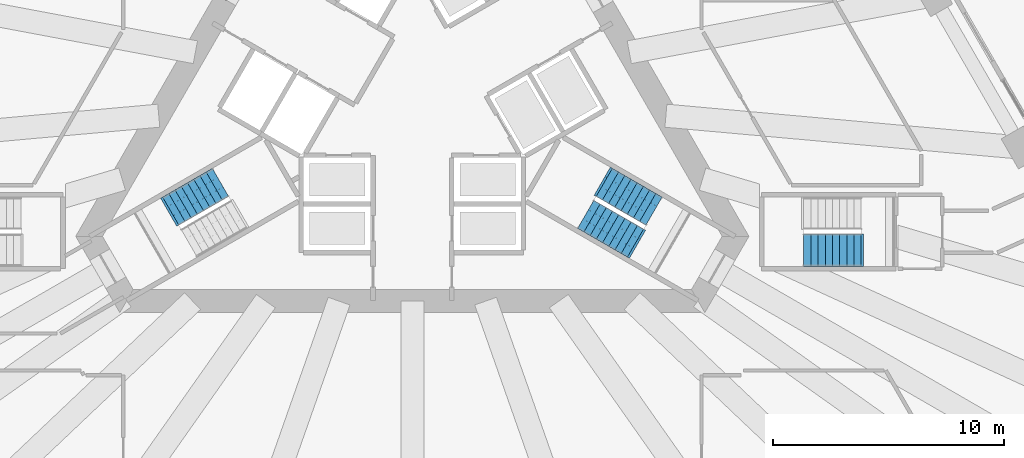
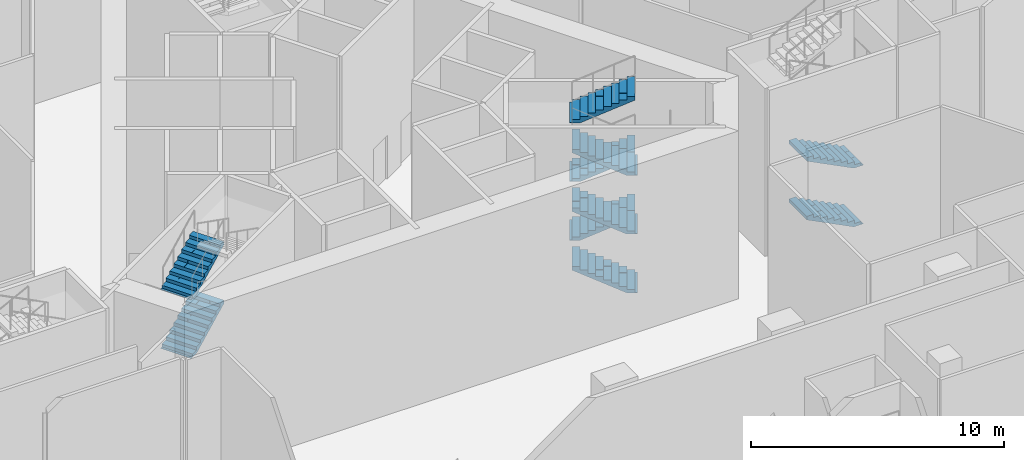
# One storey, part 32 of 41: 10 stair flights, 3 elements without a shape of their own.
"""IFC4 building model written with IfcOpenShell, lengths in metres."""

from ifc_helpers import new_model, si_unit, direction, frame, origin, place, context, subcontext, project, spatial, polyline, outline, extrude, material, type_object, element, aggregate, save


model = new_model("IFC4")

# Units and contexts
model_context = context("Model", 3, precision=1e-05, world=origin(), true_north=direction((0.0, 1.0)))
body_context = subcontext(model_context, "Body", "Model", "MODEL_VIEW")
ifc_project = project(units=[si_unit("LENGTHUNIT", "METRE"), si_unit("AREAUNIT", "SQUARE_METRE"), si_unit("VOLUMEUNIT", "CUBIC_METRE"), si_unit("PLANEANGLEUNIT", "RADIAN"), si_unit("MASSUNIT", "GRAM", prefix="KILO")], contexts=[model_context])

# Site, building, storey
site_placement = place(None, origin())
site = spatial("IfcSite", under=ifc_project, at=site_placement, CompositionType="ELEMENT")
building_placement = place(site_placement, origin())
building = spatial("IfcBuilding", under=site, at=building_placement, Name="Triada Interchange Tower", CompositionType="ELEMENT")
storey_placement = place(building_placement, origin())
storey = spatial("IfcBuildingStorey", under=building, at=storey_placement, Name="L00", CompositionType="ELEMENT", Elevation=0.0)

# Stair, stair flights
ifc_material = material(Name="Concrete C35/45", Category="concrete")
stair_type = type_object("IfcStairType", Name="HALF TURN STAIR 1400", PredefinedType="HALF_TURN_STAIR", material=ifc_material)
stair_1_placement = place(storey_placement, origin())
stair_1 = element("IfcStair", 1, at=stair_1_placement, inside=storey, type_object=stair_type, Name="Exit stair S00-2", PredefinedType="HALF_TURN_STAIR")
stair_flight_type = type_object("IfcStairFlightType", Name="STRAIGHT STAIR FLIGHT 1400", PredefinedType="STRAIGHT", material=ifc_material)
stair_flight_1_placement = place(storey_placement, frame((-10.446044921875, -5.10693359375, 2.83349609375), z_axis=(0.0, 0.0, 1.0), x_axis=(0.866025403784, 0.5, 0.0)))
stair_flight_1 = element("IfcStairFlight", 2, at=stair_flight_1_placement, type_object=stair_flight_type, Name="S00-2 flight 3", NumberOfRisers=9, NumberOfTreads=8, PredefinedType="STRAIGHT", RiserHeight=0.15741, TreadLength=0.31, context=body_context, shape_type="SweptSolid", body=[
    extrude(outline(polyline([(-0.10009765625, 0.0), (-0.10009765625, 0.02001953125), (0.0, 0.02001953125), (0.0, 0.157470703125), (0.31005859375, 0.157470703125), (0.31005859375, 0.31494140625), (0.6201171875, 0.31494140625), (0.6201171875, 0.47216796875), (0.929931640625, 0.47216796875), (0.929931640625, 0.629638671875), (1.239990234375, 0.629638671875), (1.239990234375, 0.787109375), (1.550048828125, 0.787109375), (1.550048828125, 0.944580078125), (1.860107421875, 0.944580078125), (1.860107421875, 1.101806640625), (2.169921875, 1.101806640625), (2.169921875, 1.25927734375), (2.47998046875, 1.25927734375), (2.48388671875, 1.25927734375), (2.48388671875, 1.416748046875), (2.48388671875, 1.091064453125), (0.3310546875, 0.0), (-0.10009765625, 0.0)])), frame((0.0, 0.699951171875, 0.0), z_axis=(0.0, -1.0, 0.0), x_axis=(1.0, 0.0, 0.0)), (0.0, 0.0, 1.0), 0.46533203125),
    extrude(outline(polyline([(-0.10009765625, 0.0), (-0.10009765625, 0.02001953125), (0.0, 0.02001953125), (0.0, 0.157470703125), (0.31005859375, 0.157470703125), (0.31005859375, 0.31494140625), (0.6201171875, 0.31494140625), (0.6201171875, 0.47216796875), (0.929931640625, 0.47216796875), (0.929931640625, 0.629638671875), (1.239990234375, 0.629638671875), (1.239990234375, 0.787109375), (1.550048828125, 0.787109375), (1.550048828125, 0.944580078125), (1.860107421875, 0.944580078125), (1.860107421875, 1.101806640625), (2.169921875, 1.101806640625), (2.169921875, 1.25927734375), (2.47998046875, 1.25927734375), (2.48388671875, 1.25927734375), (2.48388671875, 1.416748046875), (2.48388671875, 1.091064453125), (0.3310546875, 0.0), (-0.10009765625, 0.0)])), frame((0.0, 0.232666015625, 0.0), z_axis=(0.0, -1.0, 0.0), x_axis=(1.0, 0.0, 0.0)), (0.0, 0.0, 1.0), 0.46533203125),
    extrude(outline(polyline([(-0.10009765625, 0.0), (-0.10009765625, 0.02001953125), (0.0, 0.02001953125), (0.0, 0.157470703125), (0.31005859375, 0.157470703125), (0.31005859375, 0.31494140625), (0.6201171875, 0.31494140625), (0.6201171875, 0.47216796875), (0.929931640625, 0.47216796875), (0.929931640625, 0.629638671875), (1.239990234375, 0.629638671875), (1.239990234375, 0.787109375), (1.550048828125, 0.787109375), (1.550048828125, 0.944580078125), (1.860107421875, 0.944580078125), (1.860107421875, 1.101806640625), (2.169921875, 1.101806640625), (2.169921875, 1.25927734375), (2.47998046875, 1.25927734375), (2.48388671875, 1.25927734375), (2.48388671875, 1.416748046875), (2.48388671875, 1.091064453125), (0.3310546875, 0.0), (-0.10009765625, 0.0)])), frame((0.0, -0.234619140625, 0.0), z_axis=(0.0, -1.0, 0.0), x_axis=(1.0, 0.0, 0.0)), (0.0, 0.0, 1.0), 0.46533203125),
])
stair_flight_2_placement = place(storey_placement, frame((-10.446044921875, -5.10693359375, 5.666748046875), z_axis=(0.0, 0.0, 1.0), x_axis=(0.866025403784, 0.5, 0.0)))
stair_flight_2 = element("IfcStairFlight", 3, at=stair_flight_2_placement, type_object=stair_flight_type, Name="S00-2 flight 5", NumberOfRisers=9, NumberOfTreads=8, PredefinedType="STRAIGHT", RiserHeight=0.15741, TreadLength=0.31, context=body_context, shape_type="SweptSolid", body=[
    extrude(outline(polyline([(-0.10009765625, 0.0), (-0.10009765625, 0.02001953125), (0.0, 0.02001953125), (0.0, 0.157470703125), (0.31005859375, 0.157470703125), (0.31005859375, 0.31494140625), (0.6201171875, 0.31494140625), (0.6201171875, 0.47216796875), (0.929931640625, 0.47216796875), (0.929931640625, 0.629638671875), (1.239990234375, 0.629638671875), (1.239990234375, 0.787109375), (1.550048828125, 0.787109375), (1.550048828125, 0.944580078125), (1.860107421875, 0.944580078125), (1.860107421875, 1.101806640625), (2.169921875, 1.101806640625), (2.169921875, 1.25927734375), (2.47998046875, 1.25927734375), (2.48388671875, 1.25927734375), (2.48388671875, 1.416748046875), (2.48388671875, 1.091064453125), (0.3310546875, 0.0), (-0.10009765625, 0.0)])), frame((0.0, 0.699951171875, 0.0), z_axis=(0.0, -1.0, 0.0), x_axis=(1.0, 0.0, 0.0)), (0.0, 0.0, 1.0), 0.46533203125),
    extrude(outline(polyline([(-0.10009765625, 0.0), (-0.10009765625, 0.02001953125), (0.0, 0.02001953125), (0.0, 0.157470703125), (0.31005859375, 0.157470703125), (0.31005859375, 0.31494140625), (0.6201171875, 0.31494140625), (0.6201171875, 0.47216796875), (0.929931640625, 0.47216796875), (0.929931640625, 0.629638671875), (1.239990234375, 0.629638671875), (1.239990234375, 0.787109375), (1.550048828125, 0.787109375), (1.550048828125, 0.944580078125), (1.860107421875, 0.944580078125), (1.860107421875, 1.101806640625), (2.169921875, 1.101806640625), (2.169921875, 1.25927734375), (2.47998046875, 1.25927734375), (2.48388671875, 1.25927734375), (2.48388671875, 1.416748046875), (2.48388671875, 1.091064453125), (0.3310546875, 0.0), (-0.10009765625, 0.0)])), frame((0.0, 0.232666015625, 0.0), z_axis=(0.0, -1.0, 0.0), x_axis=(1.0, 0.0, 0.0)), (0.0, 0.0, 1.0), 0.46533203125),
    extrude(outline(polyline([(-0.10009765625, 0.0), (-0.10009765625, 0.02001953125), (0.0, 0.02001953125), (0.0, 0.157470703125), (0.31005859375, 0.157470703125), (0.31005859375, 0.31494140625), (0.6201171875, 0.31494140625), (0.6201171875, 0.47216796875), (0.929931640625, 0.47216796875), (0.929931640625, 0.629638671875), (1.239990234375, 0.629638671875), (1.239990234375, 0.787109375), (1.550048828125, 0.787109375), (1.550048828125, 0.944580078125), (1.860107421875, 0.944580078125), (1.860107421875, 1.101806640625), (2.169921875, 1.101806640625), (2.169921875, 1.25927734375), (2.47998046875, 1.25927734375), (2.48388671875, 1.25927734375), (2.48388671875, 1.416748046875), (2.48388671875, 1.091064453125), (0.3310546875, 0.0), (-0.10009765625, 0.0)])), frame((0.0, -0.234619140625, 0.0), z_axis=(0.0, -1.0, 0.0), x_axis=(1.0, 0.0, 0.0)), (0.0, 0.0, 1.0), 0.46533203125),
])
aggregate(stair_1, [stair_flight_1, stair_flight_2])

stair_2_placement = place(storey_placement, origin())
stair_2 = element("IfcStair", 4, at=stair_2_placement, inside=storey, type_object=stair_type, Name="Exit stair S00-3", PredefinedType="HALF_TURN_STAIR")
stair_flight_3_placement = place(storey_placement, frame((9.64599609375, -6.492919921875, 0.0), z_axis=(0.0, 0.0, 1.0), x_axis=(-0.866025403784, 0.5, 0.0)))
stair_flight_3 = element("IfcStairFlight", 5, at=stair_flight_3_placement, type_object=stair_flight_type, Name="S00-3 flight 1", NumberOfRisers=9, NumberOfTreads=8, PredefinedType="STRAIGHT", RiserHeight=0.15741, TreadLength=0.31, context=body_context, shape_type="SweptSolid", body=[
    extrude(outline(polyline([(-0.10009765625, 0.0), (-0.10009765625, 0.02001953125), (0.0, 0.02001953125), (0.0, 0.157470703125), (0.31005859375, 0.157470703125), (0.31005859375, 0.31494140625), (0.6201171875, 0.31494140625), (0.6201171875, 0.47216796875), (0.929931640625, 0.47216796875), (0.929931640625, 0.629638671875), (1.239990234375, 0.629638671875), (1.239990234375, 0.787109375), (1.550048828125, 0.787109375), (1.550048828125, 0.944580078125), (1.860107421875, 0.944580078125), (1.860107421875, 1.101806640625), (2.169921875, 1.101806640625), (2.169921875, 1.25927734375), (2.47998046875, 1.25927734375), (2.48388671875, 1.25927734375), (2.48388671875, 1.416748046875), (2.48388671875, 1.091064453125), (0.3310546875, 0.0), (-0.10009765625, 0.0)])), frame((0.0, 0.699951171875, 0.0), z_axis=(0.0, -1.0, 0.0), x_axis=(1.0, 0.0, 0.0)), (0.0, 0.0, 1.0), 0.46533203125),
    extrude(outline(polyline([(-0.10009765625, 0.0), (-0.10009765625, 0.02001953125), (0.0, 0.02001953125), (0.0, 0.157470703125), (0.31005859375, 0.157470703125), (0.31005859375, 0.31494140625), (0.6201171875, 0.31494140625), (0.6201171875, 0.47216796875), (0.929931640625, 0.47216796875), (0.929931640625, 0.629638671875), (1.239990234375, 0.629638671875), (1.239990234375, 0.787109375), (1.550048828125, 0.787109375), (1.550048828125, 0.944580078125), (1.860107421875, 0.944580078125), (1.860107421875, 1.101806640625), (2.169921875, 1.101806640625), (2.169921875, 1.25927734375), (2.47998046875, 1.25927734375), (2.48388671875, 1.25927734375), (2.48388671875, 1.416748046875), (2.48388671875, 1.091064453125), (0.3310546875, 0.0), (-0.10009765625, 0.0)])), frame((0.0, 0.232666015625, 0.0), z_axis=(0.0, -1.0, 0.0), x_axis=(1.0, 0.0, 0.0)), (0.0, 0.0, 1.0), 0.46533203125),
    extrude(outline(polyline([(-0.10009765625, 0.0), (-0.10009765625, 0.02001953125), (0.0, 0.02001953125), (0.0, 0.157470703125), (0.31005859375, 0.157470703125), (0.31005859375, 0.31494140625), (0.6201171875, 0.31494140625), (0.6201171875, 0.47216796875), (0.929931640625, 0.47216796875), (0.929931640625, 0.629638671875), (1.239990234375, 0.629638671875), (1.239990234375, 0.787109375), (1.550048828125, 0.787109375), (1.550048828125, 0.944580078125), (1.860107421875, 0.944580078125), (1.860107421875, 1.101806640625), (2.169921875, 1.101806640625), (2.169921875, 1.25927734375), (2.47998046875, 1.25927734375), (2.48388671875, 1.25927734375), (2.48388671875, 1.416748046875), (2.48388671875, 1.091064453125), (0.3310546875, 0.0), (-0.10009765625, 0.0)])), frame((0.0, -0.234619140625, 0.0), z_axis=(0.0, -1.0, 0.0), x_axis=(1.0, 0.0, 0.0)), (0.0, 0.0, 1.0), 0.46533203125),
])
stair_flight_4_placement = place(storey_placement, frame((8.298095703125, -3.866943359375, 1.416748046875), z_axis=(0.0, 0.0, 1.0), x_axis=(0.866025403784, -0.5, 0.0)))
stair_flight_4 = element("IfcStairFlight", 6, at=stair_flight_4_placement, type_object=stair_flight_type, Name="S00-3 flight 2", NumberOfRisers=9, NumberOfTreads=8, PredefinedType="STRAIGHT", RiserHeight=0.15741, TreadLength=0.31, context=body_context, shape_type="SweptSolid", body=[
    extrude(outline(polyline([(-0.10009765625, 0.0), (-0.10009765625, 0.02001953125), (0.0, 0.02001953125), (0.0, 0.157470703125), (0.31005859375, 0.157470703125), (0.31005859375, 0.31494140625), (0.6201171875, 0.31494140625), (0.6201171875, 0.47216796875), (0.929931640625, 0.47216796875), (0.929931640625, 0.629638671875), (1.239990234375, 0.629638671875), (1.239990234375, 0.787109375), (1.550048828125, 0.787109375), (1.550048828125, 0.944580078125), (1.860107421875, 0.944580078125), (1.860107421875, 1.101806640625), (2.169921875, 1.101806640625), (2.169921875, 1.25927734375), (2.47998046875, 1.25927734375), (2.48388671875, 1.25927734375), (2.48388671875, 1.416748046875), (2.48388671875, 1.091064453125), (0.3310546875, 0.0), (-0.10009765625, 0.0)])), frame((0.0, 0.699951171875, 0.0), z_axis=(0.0, -1.0, 0.0), x_axis=(1.0, 0.0, 0.0)), (0.0, 0.0, 1.0), 0.46533203125),
    extrude(outline(polyline([(-0.10009765625, 0.0), (-0.10009765625, 0.02001953125), (0.0, 0.02001953125), (0.0, 0.157470703125), (0.31005859375, 0.157470703125), (0.31005859375, 0.31494140625), (0.6201171875, 0.31494140625), (0.6201171875, 0.47216796875), (0.929931640625, 0.47216796875), (0.929931640625, 0.629638671875), (1.239990234375, 0.629638671875), (1.239990234375, 0.787109375), (1.550048828125, 0.787109375), (1.550048828125, 0.944580078125), (1.860107421875, 0.944580078125), (1.860107421875, 1.101806640625), (2.169921875, 1.101806640625), (2.169921875, 1.25927734375), (2.47998046875, 1.25927734375), (2.48388671875, 1.25927734375), (2.48388671875, 1.416748046875), (2.48388671875, 1.091064453125), (0.3310546875, 0.0), (-0.10009765625, 0.0)])), frame((0.0, 0.232666015625, 0.0), z_axis=(0.0, -1.0, 0.0), x_axis=(1.0, 0.0, 0.0)), (0.0, 0.0, 1.0), 0.46533203125),
    extrude(outline(polyline([(-0.10009765625, 0.0), (-0.10009765625, 0.02001953125), (0.0, 0.02001953125), (0.0, 0.157470703125), (0.31005859375, 0.157470703125), (0.31005859375, 0.31494140625), (0.6201171875, 0.31494140625), (0.6201171875, 0.47216796875), (0.929931640625, 0.47216796875), (0.929931640625, 0.629638671875), (1.239990234375, 0.629638671875), (1.239990234375, 0.787109375), (1.550048828125, 0.787109375), (1.550048828125, 0.944580078125), (1.860107421875, 0.944580078125), (1.860107421875, 1.101806640625), (2.169921875, 1.101806640625), (2.169921875, 1.25927734375), (2.47998046875, 1.25927734375), (2.48388671875, 1.25927734375), (2.48388671875, 1.416748046875), (2.48388671875, 1.091064453125), (0.3310546875, 0.0), (-0.10009765625, 0.0)])), frame((0.0, -0.234619140625, 0.0), z_axis=(0.0, -1.0, 0.0), x_axis=(1.0, 0.0, 0.0)), (0.0, 0.0, 1.0), 0.46533203125),
])
stair_flight_5_placement = place(storey_placement, frame((9.64599609375, -6.492919921875, 2.83349609375), z_axis=(0.0, 0.0, 1.0), x_axis=(-0.866025403784, 0.5, 0.0)))
stair_flight_5 = element("IfcStairFlight", 7, at=stair_flight_5_placement, type_object=stair_flight_type, Name="S00-3 flight 3", NumberOfRisers=9, NumberOfTreads=8, PredefinedType="STRAIGHT", RiserHeight=0.15741, TreadLength=0.31, context=body_context, shape_type="SweptSolid", body=[
    extrude(outline(polyline([(-0.10009765625, 0.0), (-0.10009765625, 0.02001953125), (0.0, 0.02001953125), (0.0, 0.157470703125), (0.31005859375, 0.157470703125), (0.31005859375, 0.31494140625), (0.6201171875, 0.31494140625), (0.6201171875, 0.47216796875), (0.929931640625, 0.47216796875), (0.929931640625, 0.629638671875), (1.239990234375, 0.629638671875), (1.239990234375, 0.787109375), (1.550048828125, 0.787109375), (1.550048828125, 0.944580078125), (1.860107421875, 0.944580078125), (1.860107421875, 1.101806640625), (2.169921875, 1.101806640625), (2.169921875, 1.25927734375), (2.47998046875, 1.25927734375), (2.48388671875, 1.25927734375), (2.48388671875, 1.416748046875), (2.48388671875, 1.091064453125), (0.3310546875, 0.0), (-0.10009765625, 0.0)])), frame((0.0, 0.699951171875, 0.0), z_axis=(0.0, -1.0, 0.0), x_axis=(1.0, 0.0, 0.0)), (0.0, 0.0, 1.0), 0.46533203125),
    extrude(outline(polyline([(-0.10009765625, 0.0), (-0.10009765625, 0.02001953125), (0.0, 0.02001953125), (0.0, 0.157470703125), (0.31005859375, 0.157470703125), (0.31005859375, 0.31494140625), (0.6201171875, 0.31494140625), (0.6201171875, 0.47216796875), (0.929931640625, 0.47216796875), (0.929931640625, 0.629638671875), (1.239990234375, 0.629638671875), (1.239990234375, 0.787109375), (1.550048828125, 0.787109375), (1.550048828125, 0.944580078125), (1.860107421875, 0.944580078125), (1.860107421875, 1.101806640625), (2.169921875, 1.101806640625), (2.169921875, 1.25927734375), (2.47998046875, 1.25927734375), (2.48388671875, 1.25927734375), (2.48388671875, 1.416748046875), (2.48388671875, 1.091064453125), (0.3310546875, 0.0), (-0.10009765625, 0.0)])), frame((0.0, 0.232666015625, 0.0), z_axis=(0.0, -1.0, 0.0), x_axis=(1.0, 0.0, 0.0)), (0.0, 0.0, 1.0), 0.46533203125),
    extrude(outline(polyline([(-0.10009765625, 0.0), (-0.10009765625, 0.02001953125), (0.0, 0.02001953125), (0.0, 0.157470703125), (0.31005859375, 0.157470703125), (0.31005859375, 0.31494140625), (0.6201171875, 0.31494140625), (0.6201171875, 0.47216796875), (0.929931640625, 0.47216796875), (0.929931640625, 0.629638671875), (1.239990234375, 0.629638671875), (1.239990234375, 0.787109375), (1.550048828125, 0.787109375), (1.550048828125, 0.944580078125), (1.860107421875, 0.944580078125), (1.860107421875, 1.101806640625), (2.169921875, 1.101806640625), (2.169921875, 1.25927734375), (2.47998046875, 1.25927734375), (2.48388671875, 1.25927734375), (2.48388671875, 1.416748046875), (2.48388671875, 1.091064453125), (0.3310546875, 0.0), (-0.10009765625, 0.0)])), frame((0.0, -0.234619140625, 0.0), z_axis=(0.0, -1.0, 0.0), x_axis=(1.0, 0.0, 0.0)), (0.0, 0.0, 1.0), 0.46533203125),
])
stair_flight_6_placement = place(storey_placement, frame((8.298095703125, -3.866943359375, 4.25), z_axis=(0.0, 0.0, 1.0), x_axis=(0.866025403784, -0.5, 0.0)))
stair_flight_6 = element("IfcStairFlight", 8, at=stair_flight_6_placement, type_object=stair_flight_type, Name="S00-3 flight 4", NumberOfRisers=9, NumberOfTreads=8, PredefinedType="STRAIGHT", RiserHeight=0.15741, TreadLength=0.31, context=body_context, shape_type="SweptSolid", body=[
    extrude(outline(polyline([(-0.10009765625, 0.0), (-0.10009765625, 0.02001953125), (0.0, 0.02001953125), (0.0, 0.157470703125), (0.31005859375, 0.157470703125), (0.31005859375, 0.31494140625), (0.6201171875, 0.31494140625), (0.6201171875, 0.47216796875), (0.929931640625, 0.47216796875), (0.929931640625, 0.629638671875), (1.239990234375, 0.629638671875), (1.239990234375, 0.787109375), (1.550048828125, 0.787109375), (1.550048828125, 0.944580078125), (1.860107421875, 0.944580078125), (1.860107421875, 1.101806640625), (2.169921875, 1.101806640625), (2.169921875, 1.25927734375), (2.47998046875, 1.25927734375), (2.48388671875, 1.25927734375), (2.48388671875, 1.416748046875), (2.48388671875, 1.091064453125), (0.3310546875, 0.0), (-0.10009765625, 0.0)])), frame((0.0, 0.699951171875, 0.0), z_axis=(0.0, -1.0, 0.0), x_axis=(1.0, 0.0, 0.0)), (0.0, 0.0, 1.0), 0.46533203125),
    extrude(outline(polyline([(-0.10009765625, 0.0), (-0.10009765625, 0.02001953125), (0.0, 0.02001953125), (0.0, 0.157470703125), (0.31005859375, 0.157470703125), (0.31005859375, 0.31494140625), (0.6201171875, 0.31494140625), (0.6201171875, 0.47216796875), (0.929931640625, 0.47216796875), (0.929931640625, 0.629638671875), (1.239990234375, 0.629638671875), (1.239990234375, 0.787109375), (1.550048828125, 0.787109375), (1.550048828125, 0.944580078125), (1.860107421875, 0.944580078125), (1.860107421875, 1.101806640625), (2.169921875, 1.101806640625), (2.169921875, 1.25927734375), (2.47998046875, 1.25927734375), (2.48388671875, 1.25927734375), (2.48388671875, 1.416748046875), (2.48388671875, 1.091064453125), (0.3310546875, 0.0), (-0.10009765625, 0.0)])), frame((0.0, 0.232666015625, 0.0), z_axis=(0.0, -1.0, 0.0), x_axis=(1.0, 0.0, 0.0)), (0.0, 0.0, 1.0), 0.46533203125),
    extrude(outline(polyline([(-0.10009765625, 0.0), (-0.10009765625, 0.02001953125), (0.0, 0.02001953125), (0.0, 0.157470703125), (0.31005859375, 0.157470703125), (0.31005859375, 0.31494140625), (0.6201171875, 0.31494140625), (0.6201171875, 0.47216796875), (0.929931640625, 0.47216796875), (0.929931640625, 0.629638671875), (1.239990234375, 0.629638671875), (1.239990234375, 0.787109375), (1.550048828125, 0.787109375), (1.550048828125, 0.944580078125), (1.860107421875, 0.944580078125), (1.860107421875, 1.101806640625), (2.169921875, 1.101806640625), (2.169921875, 1.25927734375), (2.47998046875, 1.25927734375), (2.48388671875, 1.25927734375), (2.48388671875, 1.416748046875), (2.48388671875, 1.091064453125), (0.3310546875, 0.0), (-0.10009765625, 0.0)])), frame((0.0, -0.234619140625, 0.0), z_axis=(0.0, -1.0, 0.0), x_axis=(1.0, 0.0, 0.0)), (0.0, 0.0, 1.0), 0.46533203125),
])
stair_flight_7_placement = place(storey_placement, frame((9.64599609375, -6.492919921875, 5.666748046875), z_axis=(0.0, 0.0, 1.0), x_axis=(-0.866025403784, 0.5, 0.0)))
stair_flight_7 = element("IfcStairFlight", 9, at=stair_flight_7_placement, type_object=stair_flight_type, Name="S00-3 flight 5", NumberOfRisers=9, NumberOfTreads=8, PredefinedType="STRAIGHT", RiserHeight=0.15741, TreadLength=0.31, context=body_context, shape_type="SweptSolid", body=[
    extrude(outline(polyline([(-0.10009765625, 0.0), (-0.10009765625, 0.02001953125), (0.0, 0.02001953125), (0.0, 0.157470703125), (0.31005859375, 0.157470703125), (0.31005859375, 0.31494140625), (0.6201171875, 0.31494140625), (0.6201171875, 0.47216796875), (0.929931640625, 0.47216796875), (0.929931640625, 0.629638671875), (1.239990234375, 0.629638671875), (1.239990234375, 0.787109375), (1.550048828125, 0.787109375), (1.550048828125, 0.944580078125), (1.860107421875, 0.944580078125), (1.860107421875, 1.101806640625), (2.169921875, 1.101806640625), (2.169921875, 1.25927734375), (2.47998046875, 1.25927734375), (2.48388671875, 1.25927734375), (2.48388671875, 1.416748046875), (2.48388671875, 1.091064453125), (0.3310546875, 0.0), (-0.10009765625, 0.0)])), frame((0.0, 0.699951171875, 0.0), z_axis=(0.0, -1.0, 0.0), x_axis=(1.0, 0.0, 0.0)), (0.0, 0.0, 1.0), 0.46533203125),
    extrude(outline(polyline([(-0.10009765625, 0.0), (-0.10009765625, 0.02001953125), (0.0, 0.02001953125), (0.0, 0.157470703125), (0.31005859375, 0.157470703125), (0.31005859375, 0.31494140625), (0.6201171875, 0.31494140625), (0.6201171875, 0.47216796875), (0.929931640625, 0.47216796875), (0.929931640625, 0.629638671875), (1.239990234375, 0.629638671875), (1.239990234375, 0.787109375), (1.550048828125, 0.787109375), (1.550048828125, 0.944580078125), (1.860107421875, 0.944580078125), (1.860107421875, 1.101806640625), (2.169921875, 1.101806640625), (2.169921875, 1.25927734375), (2.47998046875, 1.25927734375), (2.48388671875, 1.25927734375), (2.48388671875, 1.416748046875), (2.48388671875, 1.091064453125), (0.3310546875, 0.0), (-0.10009765625, 0.0)])), frame((0.0, 0.232666015625, 0.0), z_axis=(0.0, -1.0, 0.0), x_axis=(1.0, 0.0, 0.0)), (0.0, 0.0, 1.0), 0.46533203125),
    extrude(outline(polyline([(-0.10009765625, 0.0), (-0.10009765625, 0.02001953125), (0.0, 0.02001953125), (0.0, 0.157470703125), (0.31005859375, 0.157470703125), (0.31005859375, 0.31494140625), (0.6201171875, 0.31494140625), (0.6201171875, 0.47216796875), (0.929931640625, 0.47216796875), (0.929931640625, 0.629638671875), (1.239990234375, 0.629638671875), (1.239990234375, 0.787109375), (1.550048828125, 0.787109375), (1.550048828125, 0.944580078125), (1.860107421875, 0.944580078125), (1.860107421875, 1.101806640625), (2.169921875, 1.101806640625), (2.169921875, 1.25927734375), (2.47998046875, 1.25927734375), (2.48388671875, 1.25927734375), (2.48388671875, 1.416748046875), (2.48388671875, 1.091064453125), (0.3310546875, 0.0), (-0.10009765625, 0.0)])), frame((0.0, -0.234619140625, 0.0), z_axis=(0.0, -1.0, 0.0), x_axis=(1.0, 0.0, 0.0)), (0.0, 0.0, 1.0), 0.46533203125),
])
stair_flight_8_placement = place(storey_placement, frame((8.298095703125, -3.866943359375, 7.08349609375), z_axis=(0.0, 0.0, 1.0), x_axis=(0.866025403784, -0.5, 0.0)))
stair_flight_8 = element("IfcStairFlight", 10, at=stair_flight_8_placement, type_object=stair_flight_type, Name="S00-3 flight 6", NumberOfRisers=9, NumberOfTreads=8, PredefinedType="STRAIGHT", RiserHeight=0.15741, TreadLength=0.31, context=body_context, shape_type="SweptSolid", body=[
    extrude(outline(polyline([(-0.10009765625, 0.0), (-0.10009765625, 0.02001953125), (0.0, 0.02001953125), (0.0, 0.157470703125), (0.31005859375, 0.157470703125), (0.31005859375, 0.31494140625), (0.6201171875, 0.31494140625), (0.6201171875, 0.47216796875), (0.929931640625, 0.47216796875), (0.929931640625, 0.629638671875), (1.239990234375, 0.629638671875), (1.239990234375, 0.787109375), (1.550048828125, 0.787109375), (1.550048828125, 0.944580078125), (1.860107421875, 0.944580078125), (1.860107421875, 1.101806640625), (2.169921875, 1.101806640625), (2.169921875, 1.25927734375), (2.47998046875, 1.25927734375), (2.48388671875, 1.25927734375), (2.48388671875, 1.416748046875), (2.48388671875, 1.091064453125), (0.3310546875, 0.0), (-0.10009765625, 0.0)])), frame((0.0, 0.699951171875, 0.0), z_axis=(0.0, -1.0, 0.0), x_axis=(1.0, 0.0, 0.0)), (0.0, 0.0, 1.0), 0.46533203125),
    extrude(outline(polyline([(-0.10009765625, 0.0), (-0.10009765625, 0.02001953125), (0.0, 0.02001953125), (0.0, 0.157470703125), (0.31005859375, 0.157470703125), (0.31005859375, 0.31494140625), (0.6201171875, 0.31494140625), (0.6201171875, 0.47216796875), (0.929931640625, 0.47216796875), (0.929931640625, 0.629638671875), (1.239990234375, 0.629638671875), (1.239990234375, 0.787109375), (1.550048828125, 0.787109375), (1.550048828125, 0.944580078125), (1.860107421875, 0.944580078125), (1.860107421875, 1.101806640625), (2.169921875, 1.101806640625), (2.169921875, 1.25927734375), (2.47998046875, 1.25927734375), (2.48388671875, 1.25927734375), (2.48388671875, 1.416748046875), (2.48388671875, 1.091064453125), (0.3310546875, 0.0), (-0.10009765625, 0.0)])), frame((0.0, 0.232666015625, 0.0), z_axis=(0.0, -1.0, 0.0), x_axis=(1.0, 0.0, 0.0)), (0.0, 0.0, 1.0), 0.46533203125),
    extrude(outline(polyline([(-0.10009765625, 0.0), (-0.10009765625, 0.02001953125), (0.0, 0.02001953125), (0.0, 0.157470703125), (0.31005859375, 0.157470703125), (0.31005859375, 0.31494140625), (0.6201171875, 0.31494140625), (0.6201171875, 0.47216796875), (0.929931640625, 0.47216796875), (0.929931640625, 0.629638671875), (1.239990234375, 0.629638671875), (1.239990234375, 0.787109375), (1.550048828125, 0.787109375), (1.550048828125, 0.944580078125), (1.860107421875, 0.944580078125), (1.860107421875, 1.101806640625), (2.169921875, 1.101806640625), (2.169921875, 1.25927734375), (2.47998046875, 1.25927734375), (2.48388671875, 1.25927734375), (2.48388671875, 1.416748046875), (2.48388671875, 1.091064453125), (0.3310546875, 0.0), (-0.10009765625, 0.0)])), frame((0.0, -0.234619140625, 0.0), z_axis=(0.0, -1.0, 0.0), x_axis=(1.0, 0.0, 0.0)), (0.0, 0.0, 1.0), 0.46533203125),
])
aggregate(stair_2, [stair_flight_3, stair_flight_4, stair_flight_5, stair_flight_6, stair_flight_7, stair_flight_8])

stair_3_placement = place(storey_placement, origin())
stair_3 = element("IfcStair", 11, at=stair_3_placement, inside=storey, type_object=stair_type, Name="Exit stair S00-7", PredefinedType="HALF_TURN_STAIR")
stair_flight_9_placement = place(storey_placement, frame((19.39990234375, -6.800048828125, 0.0), z_axis=(0.0, 0.0, 1.0), x_axis=(-1.0, 0.0, 0.0)))
stair_flight_9 = element("IfcStairFlight", 12, at=stair_flight_9_placement, type_object=stair_flight_type, Name="S00-7 flight 1", NumberOfRisers=9, NumberOfTreads=8, PredefinedType="STRAIGHT", RiserHeight=0.15741, TreadLength=0.31, context=body_context, shape_type="SweptSolid", body=[
    extrude(outline(polyline([(-0.10009765625, 0.0), (-0.10009765625, 0.02001953125), (0.0, 0.02001953125), (0.0, 0.157470703125), (0.31005859375, 0.157470703125), (0.31005859375, 0.31494140625), (0.6201171875, 0.31494140625), (0.6201171875, 0.47216796875), (0.929931640625, 0.47216796875), (0.929931640625, 0.629638671875), (1.239990234375, 0.629638671875), (1.239990234375, 0.787109375), (1.550048828125, 0.787109375), (1.550048828125, 0.944580078125), (1.860107421875, 0.944580078125), (1.860107421875, 1.101806640625), (2.169921875, 1.101806640625), (2.169921875, 1.25927734375), (2.47998046875, 1.25927734375), (2.48388671875, 1.25927734375), (2.48388671875, 1.416748046875), (2.48388671875, 1.091064453125), (0.3310546875, 0.0), (-0.10009765625, 0.0)])), frame((0.0, 0.699951171875, 0.0), z_axis=(0.0, -1.0, 0.0), x_axis=(1.0, 0.0, 0.0)), (0.0, 0.0, 1.0), 0.46533203125),
    extrude(outline(polyline([(-0.10009765625, 0.0), (-0.10009765625, 0.02001953125), (0.0, 0.02001953125), (0.0, 0.157470703125), (0.31005859375, 0.157470703125), (0.31005859375, 0.31494140625), (0.6201171875, 0.31494140625), (0.6201171875, 0.47216796875), (0.929931640625, 0.47216796875), (0.929931640625, 0.629638671875), (1.239990234375, 0.629638671875), (1.239990234375, 0.787109375), (1.550048828125, 0.787109375), (1.550048828125, 0.944580078125), (1.860107421875, 0.944580078125), (1.860107421875, 1.101806640625), (2.169921875, 1.101806640625), (2.169921875, 1.25927734375), (2.47998046875, 1.25927734375), (2.48388671875, 1.25927734375), (2.48388671875, 1.416748046875), (2.48388671875, 1.091064453125), (0.3310546875, 0.0), (-0.10009765625, 0.0)])), frame((0.0, 0.232666015625, 0.0), z_axis=(0.0, -1.0, 0.0), x_axis=(1.0, 0.0, 0.0)), (0.0, 0.0, 1.0), 0.46533203125),
    extrude(outline(polyline([(-0.10009765625, 0.0), (-0.10009765625, 0.02001953125), (0.0, 0.02001953125), (0.0, 0.157470703125), (0.31005859375, 0.157470703125), (0.31005859375, 0.31494140625), (0.6201171875, 0.31494140625), (0.6201171875, 0.47216796875), (0.929931640625, 0.47216796875), (0.929931640625, 0.629638671875), (1.239990234375, 0.629638671875), (1.239990234375, 0.787109375), (1.550048828125, 0.787109375), (1.550048828125, 0.944580078125), (1.860107421875, 0.944580078125), (1.860107421875, 1.101806640625), (2.169921875, 1.101806640625), (2.169921875, 1.25927734375), (2.47998046875, 1.25927734375), (2.48388671875, 1.25927734375), (2.48388671875, 1.416748046875), (2.48388671875, 1.091064453125), (0.3310546875, 0.0), (-0.10009765625, 0.0)])), frame((0.0, -0.234619140625, 0.0), z_axis=(0.0, -1.0, 0.0), x_axis=(1.0, 0.0, 0.0)), (0.0, 0.0, 1.0), 0.46533203125),
])
stair_flight_10_placement = place(storey_placement, frame((19.39990234375, -6.800048828125, 2.83349609375), z_axis=(0.0, 0.0, 1.0), x_axis=(-1.0, 0.0, 0.0)))
stair_flight_10 = element("IfcStairFlight", 13, at=stair_flight_10_placement, type_object=stair_flight_type, Name="S00-7 flight 3", NumberOfRisers=9, NumberOfTreads=8, PredefinedType="STRAIGHT", RiserHeight=0.15741, TreadLength=0.31, context=body_context, shape_type="SweptSolid", body=[
    extrude(outline(polyline([(-0.10009765625, 0.0), (-0.10009765625, 0.02001953125), (0.0, 0.02001953125), (0.0, 0.157470703125), (0.31005859375, 0.157470703125), (0.31005859375, 0.31494140625), (0.6201171875, 0.31494140625), (0.6201171875, 0.47216796875), (0.929931640625, 0.47216796875), (0.929931640625, 0.629638671875), (1.239990234375, 0.629638671875), (1.239990234375, 0.787109375), (1.550048828125, 0.787109375), (1.550048828125, 0.944580078125), (1.860107421875, 0.944580078125), (1.860107421875, 1.101806640625), (2.169921875, 1.101806640625), (2.169921875, 1.25927734375), (2.47998046875, 1.25927734375), (2.48388671875, 1.25927734375), (2.48388671875, 1.416748046875), (2.48388671875, 1.091064453125), (0.3310546875, 0.0), (-0.10009765625, 0.0)])), frame((0.0, 0.699951171875, 0.0), z_axis=(0.0, -1.0, 0.0), x_axis=(1.0, 0.0, 0.0)), (0.0, 0.0, 1.0), 0.46533203125),
    extrude(outline(polyline([(-0.10009765625, 0.0), (-0.10009765625, 0.02001953125), (0.0, 0.02001953125), (0.0, 0.157470703125), (0.31005859375, 0.157470703125), (0.31005859375, 0.31494140625), (0.6201171875, 0.31494140625), (0.6201171875, 0.47216796875), (0.929931640625, 0.47216796875), (0.929931640625, 0.629638671875), (1.239990234375, 0.629638671875), (1.239990234375, 0.787109375), (1.550048828125, 0.787109375), (1.550048828125, 0.944580078125), (1.860107421875, 0.944580078125), (1.860107421875, 1.101806640625), (2.169921875, 1.101806640625), (2.169921875, 1.25927734375), (2.47998046875, 1.25927734375), (2.48388671875, 1.25927734375), (2.48388671875, 1.416748046875), (2.48388671875, 1.091064453125), (0.3310546875, 0.0), (-0.10009765625, 0.0)])), frame((0.0, 0.232666015625, 0.0), z_axis=(0.0, -1.0, 0.0), x_axis=(1.0, 0.0, 0.0)), (0.0, 0.0, 1.0), 0.46533203125),
    extrude(outline(polyline([(-0.10009765625, 0.0), (-0.10009765625, 0.02001953125), (0.0, 0.02001953125), (0.0, 0.157470703125), (0.31005859375, 0.157470703125), (0.31005859375, 0.31494140625), (0.6201171875, 0.31494140625), (0.6201171875, 0.47216796875), (0.929931640625, 0.47216796875), (0.929931640625, 0.629638671875), (1.239990234375, 0.629638671875), (1.239990234375, 0.787109375), (1.550048828125, 0.787109375), (1.550048828125, 0.944580078125), (1.860107421875, 0.944580078125), (1.860107421875, 1.101806640625), (2.169921875, 1.101806640625), (2.169921875, 1.25927734375), (2.47998046875, 1.25927734375), (2.48388671875, 1.25927734375), (2.48388671875, 1.416748046875), (2.48388671875, 1.091064453125), (0.3310546875, 0.0), (-0.10009765625, 0.0)])), frame((0.0, -0.234619140625, 0.0), z_axis=(0.0, -1.0, 0.0), x_axis=(1.0, 0.0, 0.0)), (0.0, 0.0, 1.0), 0.46533203125),
])
aggregate(stair_3, [stair_flight_9, stair_flight_10])

save(model, "model.ifc")
